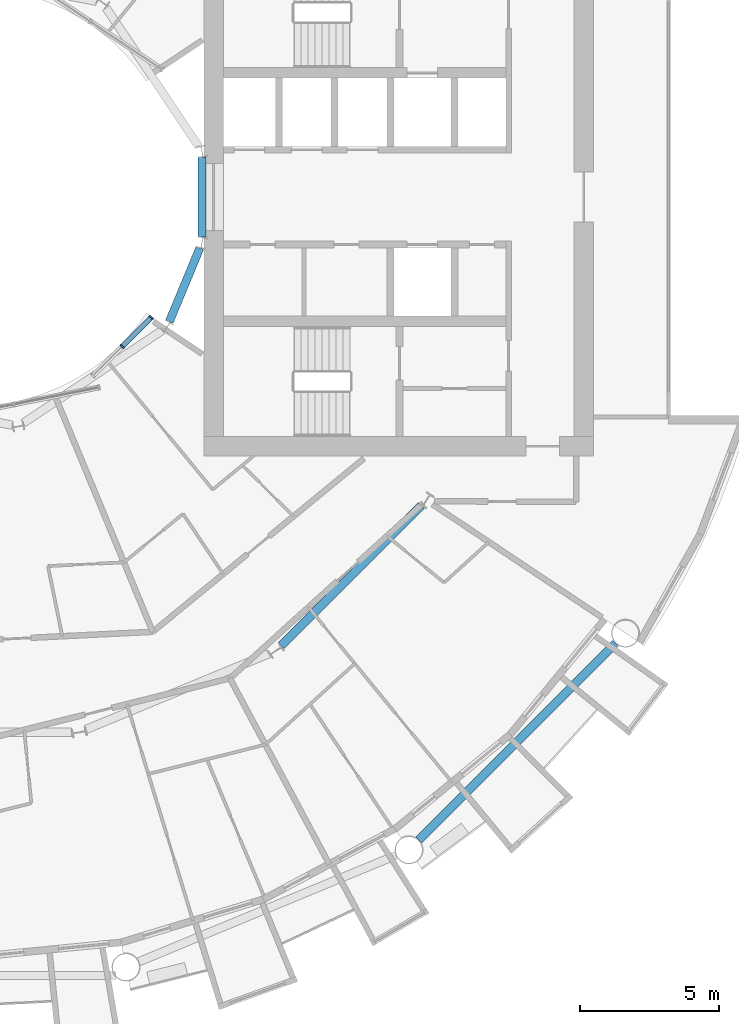
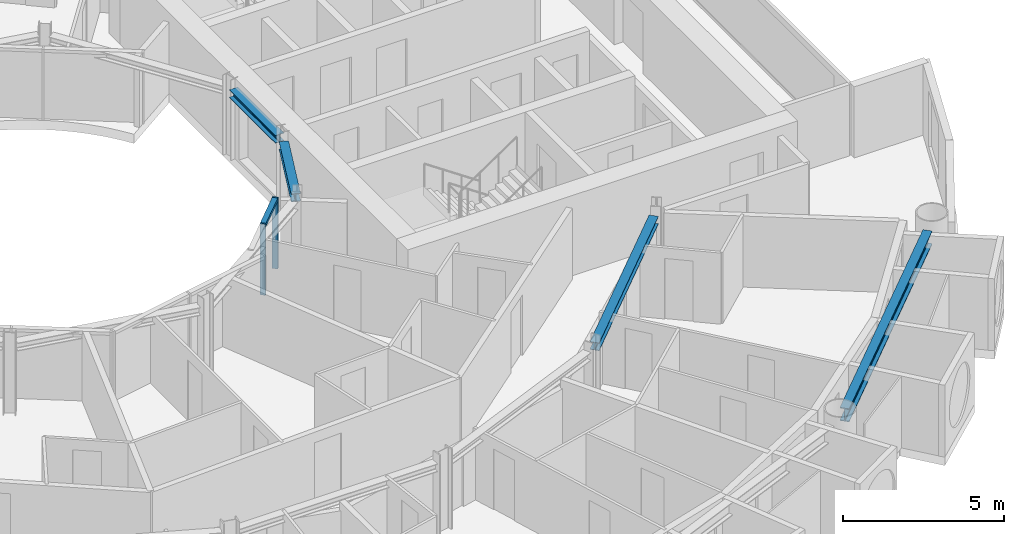
# One storey, part 6 of 26: 4 beams, 3 members, 1 element without a shape of its own.
"""IFC4 building model written with IfcOpenShell, lengths in metres."""

from ifc_helpers import new_model, si_unit, direction, frame, origin, origin_2d, place, context, subcontext, project, spatial, rectangle, i_section, extrude, material, layer, layer_set, material_profile, profile_set, type_object, element, aggregate, save


model = new_model("IFC4")

# Units and contexts
model_context = context("Model", 3, precision=1e-05, world=origin(), true_north=direction((0.0, 1.0)))
body_context = subcontext(model_context, "Body", "Model", "MODEL_VIEW")
ifc_project = project(units=[si_unit("LENGTHUNIT", "METRE"), si_unit("AREAUNIT", "SQUARE_METRE"), si_unit("VOLUMEUNIT", "CUBIC_METRE"), si_unit("PLANEANGLEUNIT", "RADIAN"), si_unit("MASSUNIT", "GRAM", prefix="KILO")], contexts=[model_context])

# Site, building, storey
site_placement = place(None, origin())
site = spatial("IfcSite", under=ifc_project, at=site_placement, CompositionType="ELEMENT")
building_placement = place(site_placement, origin())
building = spatial("IfcBuilding", under=site, at=building_placement, Name="Maasbend Ring Residences", CompositionType="ELEMENT")
storey_placement = place(building_placement, frame((0.0, 0.0, 84.949951171875)))
storey = spatial("IfcBuildingStorey", under=building, at=storey_placement, Name="L24", CompositionType="ELEMENT", Elevation=84.949951171875)

# Curtain wall, members
ifc_material_1 = material(Name="Aluminium and clear glass", Category="aluminium")
ifc_layer = layer(ifc_material_1, 0.179931640625)
ifc_layer_set = layer_set([ifc_layer], Name="CW-W")
curtain_wall_type = type_object("IfcCurtainWallType", Name="CW-W", PredefinedType="NOTDEFINED", material=ifc_layer_set)
curtain_wall_placement = place(storey_placement, origin())
curtain_wall = element("IfcCurtainWall", 1, at=curtain_wall_placement, inside=storey, type_object=curtain_wall_type, Name="Well curtain wall S3", PredefinedType="NOTDEFINED")
ifc_material_2 = material(Name="Aluminium 6063-T6", Category="aluminium")
ifc_material_profile_1 = material_profile(ifc_material_2, rectangle(XDim=0.179931640625, YDim=0.06005859375, at=origin_2d()), Name="AL 180x60")
ifc_profile_set_1 = profile_set([ifc_material_profile_1], Name="Aluminium 6063-T6")
member_type_1 = type_object("IfcMemberType", Name="CWM-W", PredefinedType="MULLION", material=ifc_profile_set_1)
member_1_placement = place(storey_placement, frame((5.366943359375, -5.366943359375, 0.0), z_axis=(0.0, 0.0, 1.0), x_axis=(-0.707106781187, 0.707106781187, 0.0)))
member_1 = element("IfcMember", 2, at=member_1_placement, type_object=member_type_1, Name="Mullion well face", PredefinedType="MULLION", context=body_context, shape_type="SweptSolid", body=[
    extrude(rectangle(XDim=0.179931640625, YDim=0.06005859375, at=origin_2d()), origin(), (0.0, 0.0, 1.0), 2.699951171875),
])
member_2_placement = place(storey_placement, frame((6.413330078125, -4.320556640625, 0.0), z_axis=(0.0, 0.0, 1.0), x_axis=(-0.707106781187, 0.707106781187, 0.0)))
member_2 = element("IfcMember", 3, at=member_2_placement, type_object=member_type_1, Name="Mullion well face", PredefinedType="MULLION", context=body_context, shape_type="SweptSolid", body=[
    extrude(rectangle(XDim=0.179931640625, YDim=0.06005859375, at=origin_2d()), origin(), (0.0, 0.0, 1.0), 2.699951171875),
])
ifc_material_3 = material(Name="Aluminium 6063-T6", Category="aluminium")
ifc_material_profile_2 = material_profile(ifc_material_3, rectangle(XDim=0.179931640625, YDim=0.1201171875, at=origin_2d()), Name="AL 180x120")
ifc_profile_set_2 = profile_set([ifc_material_profile_2], Name="Aluminium 6063-T6")
member_type_2 = type_object("IfcMemberType", Name="CWT-W", PredefinedType="USERDEFINED", material=ifc_profile_set_2)
member_3_placement = place(storey_placement, frame((5.38818359375, -5.345703125, 2.64013671875), z_axis=(0.707106781187, 0.707106781187, 0.0), x_axis=(-0.707106781187, 0.707106781187, 0.0)))
member_3 = element("IfcMember", 4, at=member_3_placement, type_object=member_type_2, Name="Transom well face", ObjectType="TRANSOM", PredefinedType="USERDEFINED", context=body_context, shape_type="SweptSolid", body=[
    extrude(rectangle(XDim=0.179931640625, YDim=0.1201171875, at=origin_2d()), origin(), (0.0, 0.0, 1.0), 1.419677734375),
])
aggregate(curtain_wall, [member_1, member_2, member_3])

# Beams
ifc_material_4 = material(Name="Steel S355J2", Category="steel")
ifc_material_profile_3 = material_profile(ifc_material_4, i_section(OverallWidth=0.300048828125, OverallDepth=0.300048828125, WebThickness=0.010986328125, FlangeThickness=0.01904296875, FilletRadius=0.027099609375, at=origin_2d()), Name="HEB 300")
ifc_profile_set_3 = profile_set([ifc_material_profile_3], Name="Steel S355J2")
beam_type_1 = type_object("IfcBeamType", Name="Corridor ring beam HEB 300", PredefinedType="BEAM", material=ifc_profile_set_3)
beam_1_placement = place(storey_placement, frame((11.078125, -16.10791015625, 2.550048828125), z_axis=(0.707106781187, 0.707106781187, 0.0), x_axis=(-0.707106781187, 0.707106781187, 0.0)))
element("IfcBeam", 5, at=beam_1_placement, inside=storey, type_object=beam_type_1, Name="Corridor ring beam", PredefinedType="BEAM", context=body_context, shape_type="SweptSolid", body=[
    extrude(i_section(OverallWidth=0.300048828125, OverallDepth=0.300048828125, WebThickness=0.010986328125, FlangeThickness=0.01904296875, FilletRadius=0.027099609375, at=origin_2d()), origin(), (0.0, 0.0, 1.0), 7.11328125),
])
ifc_material_5 = material(Name="Steel S355J2", Category="steel")
ifc_material_profile_4 = material_profile(ifc_material_5, i_section(OverallWidth=0.300048828125, OverallDepth=0.5, WebThickness=0.014404296875, FlangeThickness=0.028076171875, FilletRadius=0.027099609375, at=origin_2d()), Name="HEB 500")
ifc_profile_set_4 = profile_set([ifc_material_profile_4], Name="Steel S355J2")
beam_type_2 = type_object("IfcBeamType", Name="Spandrel ring beam HEB 500", PredefinedType="SPANDREL", material=ifc_profile_set_4)
beam_2_placement = place(storey_placement, frame((16.0263671875, -23.088134765625, 2.449951171875), z_axis=(0.707106781187, 0.707106781187, 0.0), x_axis=(-0.707106781187, 0.707106781187, 0.0)))
element("IfcBeam", 6, at=beam_2_placement, inside=storey, type_object=beam_type_2, Name="Spandrel ring beam", PredefinedType="SPANDREL", context=body_context, shape_type="SweptSolid", body=[
    extrude(i_section(OverallWidth=0.300048828125, OverallDepth=0.5, WebThickness=0.014404296875, FlangeThickness=0.028076171875, FilletRadius=0.027099609375, at=origin_2d()), origin(), (0.0, 0.0, 1.0), 9.98681640625),
])
ifc_material_6 = material(Name="Steel S355J2", Category="steel")
ifc_material_profile_5 = material_profile(ifc_material_6, i_section(OverallWidth=0.300048828125, OverallDepth=0.300048828125, WebThickness=0.010986328125, FlangeThickness=0.01904296875, FilletRadius=0.027099609375, at=origin_2d()), Name="HEB 300")
ifc_profile_set_5 = profile_set([ifc_material_profile_5], Name="Steel S355J2")
beam_type_3 = type_object("IfcBeamType", Name="Well edge beam HEB 300", PredefinedType="BEAM", material=ifc_profile_set_5)
beam_3_placement = place(storey_placement, frame((7.062255859375, -4.478515625, 2.550048828125), z_axis=(0.382729955172, 0.923860260761, 0.0), x_axis=(-0.923860260761, 0.382729955172, 0.0)))
element("IfcBeam", 7, at=beam_3_placement, inside=storey, type_object=beam_type_3, Name="Well edge beam", PredefinedType="BEAM", context=body_context, shape_type="SweptSolid", body=[
    extrude(i_section(OverallWidth=0.300048828125, OverallDepth=0.300048828125, WebThickness=0.010986328125, FlangeThickness=0.01904296875, FilletRadius=0.027099609375, at=origin_2d()), origin(), (0.0, 0.0, 1.0), 2.869873046875),
])
beam_4_placement = place(storey_placement, frame((8.238525390625, -1.434814453125, 2.550048828125), z_axis=(0.0, 1.0, 0.0), x_axis=(-1.0, 0.0, 0.0)))
element("IfcBeam", 8, at=beam_4_placement, inside=storey, type_object=beam_type_3, Name="Well edge beam", PredefinedType="BEAM", context=body_context, shape_type="SweptSolid", body=[
    extrude(i_section(OverallWidth=0.300048828125, OverallDepth=0.300048828125, WebThickness=0.010986328125, FlangeThickness=0.01904296875, FilletRadius=0.027099609375, at=origin_2d()), origin(), (0.0, 0.0, 1.0), 2.86962890625),
])

save(model, "model.ifc")
